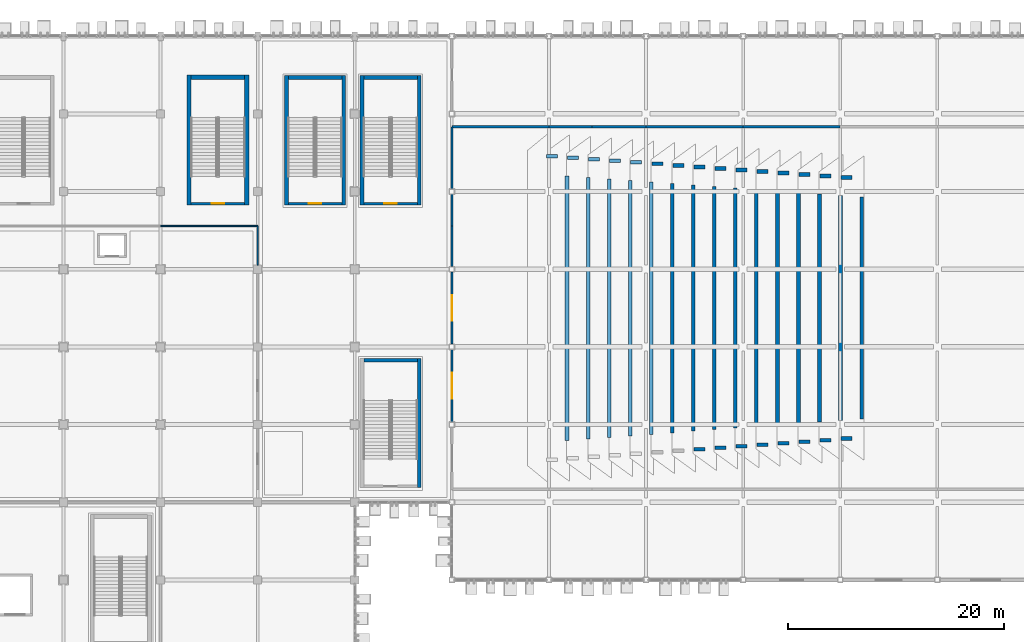
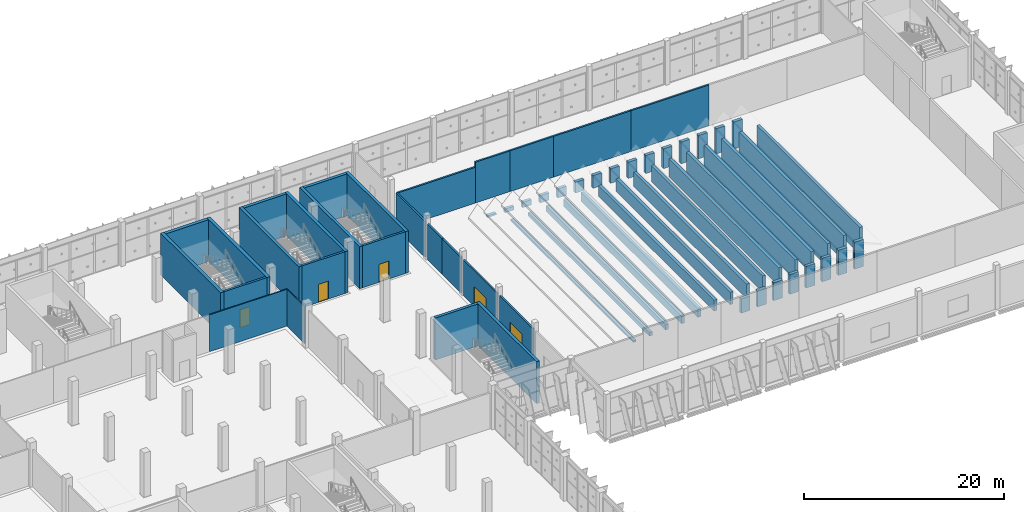
# One storey, part 142 of 189: 64 walls, 5 doors, 5 openings.
"""IFC4 building model written with IfcOpenShell, lengths in metres."""

from ifc_helpers import new_model, si_unit, direction, frame, frame_2d, origin, place, context, subcontext, project, spatial, rectangle, extrude, material, layer, layer_set, type_object, element, fill, save


model = new_model("IFC4")

# Units and contexts
model_context = context("Model", 3, precision=1e-05, world=origin(), true_north=direction((0.0, 1.0)))
body_context = subcontext(model_context, "Body", "Model", "MODEL_VIEW")
ifc_project = project(units=[si_unit("LENGTHUNIT", "METRE"), si_unit("AREAUNIT", "SQUARE_METRE"), si_unit("VOLUMEUNIT", "CUBIC_METRE"), si_unit("PLANEANGLEUNIT", "RADIAN"), si_unit("MASSUNIT", "GRAM", prefix="KILO")], contexts=[model_context])

# Site, building, storey
site_placement = place(None, origin())
site = spatial("IfcSite", under=ifc_project, at=site_placement, CompositionType="ELEMENT")
building_placement = place(site_placement, origin())
building = spatial("IfcBuilding", under=site, at=building_placement, Name="Celestram Park Convention Centre", CompositionType="ELEMENT")
storey_placement = place(building_placement, frame((0.0, 0.0, 5.39990234375)))
storey = spatial("IfcBuildingStorey", under=building, at=storey_placement, Name="L01", CompositionType="ELEMENT", Elevation=5.39990234375)

# Walls
ifc_material_1 = material(Name="Double-Stud Acoustic Gypsum Assembly", Category="gypsum")
ifc_layer_1 = layer(ifc_material_1, 0.199951171875)
ifc_layer_set_1 = layer_set([ifc_layer_1], Name="Double-Stud Acoustic Gypsum Assembly")
wall_type_1 = type_object("IfcWallType", Name="ARC-WL-ACO200", PredefinedType="PARTITIONING", material=ifc_layer_set_1)
wall_1_placement = place(storey_placement, frame((153.0, 157.199951171875, 0.0), z_axis=(0.0, 0.0, 1.0), x_axis=(1.0, 0.0, 0.0)))
element("IfcWall", 1, at=wall_1_placement, inside=storey, type_object=wall_type_1, Name="Interior partition WL-L01-IN0735", PredefinedType="PARTITIONING", context=body_context, shape_type="SweptSolid", body=[
    extrude(rectangle(XDim=9.0, YDim=0.199951171875, at=frame_2d((4.5, 0.0))), origin(), (0.0, 0.0, 1.0), 4.3681640625),
])
wall_2_placement = place(storey_placement, frame((162.0, 157.199951171875, 0.0), z_axis=(0.0, 0.0, 1.0), x_axis=(1.0, 0.0, 0.0)))
element("IfcWall", 2, at=wall_2_placement, inside=storey, type_object=wall_type_1, Name="Interior partition WL-L01-IN0736", PredefinedType="PARTITIONING", context=body_context, shape_type="SweptSolid", body=[
    extrude(rectangle(XDim=4.0, YDim=0.199951171875, at=frame_2d((2.0, 0.0))), origin(), (0.0, 0.0, 1.0), 4.97998046875),
])
wall_3_placement = place(storey_placement, frame((166.0, 157.199951171875, 0.0), z_axis=(0.0, 0.0, 1.0), x_axis=(1.0, 0.0, 0.0)))
element("IfcWall", 3, at=wall_3_placement, inside=storey, type_object=wall_type_1, Name="Interior partition WL-L01-IN0737", PredefinedType="PARTITIONING", context=body_context, shape_type="SweptSolid", body=[
    extrude(rectangle(XDim=5.0, YDim=0.199951171875, at=frame_2d((2.5, 0.0))), origin(), (0.0, 0.0, 1.0), 4.97998046875),
])
for number, where, z_axis, x_axis, name in (
    (4, (171.0, 157.199951171875, 0.0), (0.0, 0.0, 1.0), (1.0, 0.0, 0.0), "Interior partition WL-L01-IN0738"),
    (5, (180.0, 157.199951171875, 0.0), (0.0, 0.0, 1.0), (1.0, 0.0, 0.0), "Interior partition WL-L01-IN0739"),
):
    element("IfcWall", number, at=place(storey_placement, frame(where, z_axis=z_axis, x_axis=x_axis)), inside=storey, type_object=wall_type_1, Name=name, PredefinedType="PARTITIONING", context=body_context, shape_type="SweptSolid", body=[
        extrude(rectangle(XDim=9.0, YDim=0.199951171875, at=frame_2d((4.5, 0.0))), origin(), (0.0, 0.0, 1.0), 4.97998046875),
    ])

# Wall, opening, door
wall_4_placement = place(storey_placement, frame((153.0, 129.847900390625, 0.0), z_axis=(0.0, 0.0, 1.0), x_axis=(0.0, 1.0, 0.0)))
wall_4 = element("IfcWall", 6, at=wall_4_placement, inside=storey, type_object=wall_type_1, Name="Interior partition WL-L01-IN0774", PredefinedType="PARTITIONING", context=body_context, shape_type="SweptSolid", body=[
    extrude(rectangle(XDim=6.7041015625, YDim=0.199951171875, at=frame_2d((3.35205078125, 0.0))), origin(), (0.0, 0.0, 1.0), 4.358154296875),
])
opening_1_placement = place(wall_4_placement, frame((2.152099609375, 0.0, 0.0)))
opening_1 = element("IfcOpeningElement", 7, at=opening_1_placement, cuts=wall_4, Name="Opening D-01", PredefinedType="OPENING", context=body_context, shape_type="SweptSolid", body=[
    extrude(rectangle(XDim=2.39990234375, YDim=2.39990234375, at=frame_2d((1.199951171875, 1.199951171875))), frame((0.0, 0.10986328125, 0.0), z_axis=(0.0, -1.0, 0.0), x_axis=(1.0, 0.0, 0.0)), (0.0, 0.0, 1.0), 0.219970703125),
])
ifc_material_2 = material(Name="Acoustic Timber Veneer Double Door", Category="wood")
door_type_1 = type_object("IfcDoorType", Name="ARC-DR-ASM240", OperationType="NOTDEFINED", PredefinedType="DOOR", material=ifc_material_2)
door_1_placement = place(opening_1_placement, origin())
door_1 = element("IfcDoor", 8, at=door_1_placement, inside=storey, type_object=door_type_1, Name="Plenary Hall Lower Stalls entrance door", OperationType="DOUBLE_DOOR_SINGLE_SWING", OverallHeight=2.39990234375, OverallWidth=2.39990234375, PredefinedType="DOOR", context=body_context, shape_type="SweptSolid", body=[
    extrude(rectangle(XDim=2.39990234375, YDim=2.39990234375, at=frame_2d((1.199951171875, 1.199951171875))), frame((0.0, 0.02490234375, 0.0), z_axis=(0.0, -1.0, 0.0), x_axis=(1.0, 0.0, 0.0)), (0.0, 0.0, 1.0), 0.050048828125),
])
fill(opening_1, door_1)

wall_5_placement = place(storey_placement, frame((153.0, 137.048095703125, 0.0), z_axis=(0.0, 0.0, 1.0), x_axis=(0.0, 1.0, 0.0)))
wall_5 = element("IfcWall", 9, at=wall_5_placement, inside=storey, type_object=wall_type_1, Name="Interior partition WL-L01-IN0775", PredefinedType="PARTITIONING", context=body_context, shape_type="SweptSolid", body=[
    extrude(rectangle(XDim=6.703857421875, YDim=0.199951171875, at=frame_2d((3.35205078125, 0.0))), origin(), (0.0, 0.0, 1.0), 4.358154296875),
])
opening_2_placement = place(wall_5_placement, frame((2.152099609375, 0.0, 0.0)))
opening_2 = element("IfcOpeningElement", 10, at=opening_2_placement, cuts=wall_5, Name="Opening D-01", PredefinedType="OPENING", context=body_context, shape_type="SweptSolid", body=[
    extrude(rectangle(XDim=2.39990234375, YDim=2.39990234375, at=frame_2d((1.199951171875, 1.199951171875))), frame((0.0, 0.10986328125, 0.0), z_axis=(0.0, -1.0, 0.0), x_axis=(1.0, 0.0, 0.0)), (0.0, 0.0, 1.0), 0.219970703125),
])
door_2_placement = place(opening_2_placement, origin())
door_2 = element("IfcDoor", 11, at=door_2_placement, inside=storey, type_object=door_type_1, Name="Plenary Hall Lower Stalls entrance door", OperationType="DOUBLE_DOOR_SINGLE_SWING", OverallHeight=2.39990234375, OverallWidth=2.39990234375, PredefinedType="DOOR", context=body_context, shape_type="SweptSolid", body=[
    extrude(rectangle(XDim=2.39990234375, YDim=2.39990234375, at=frame_2d((1.199951171875, 1.199951171875))), frame((0.0, 0.02490234375, 0.0), z_axis=(0.0, -1.0, 0.0), x_axis=(1.0, 0.0, 0.0)), (0.0, 0.0, 1.0), 0.050048828125),
])
fill(opening_2, door_2)

# Walls
wall_6_placement = place(storey_placement, frame((153.0, 144.248046875, 0.0), z_axis=(0.0, 0.0, 1.0), x_axis=(0.0, 1.0, 0.0)))
element("IfcWall", 12, at=wall_6_placement, inside=storey, type_object=wall_type_1, Name="Interior partition WL-L01-IN0776", PredefinedType="PARTITIONING", context=body_context, shape_type="SweptSolid", body=[
    extrude(rectangle(XDim=3.751953125, YDim=0.199951171875, at=frame_2d((1.8759765625, 0.0))), origin(), (0.0, 0.0, 1.0), 4.358154296875),
])
wall_7_placement = place(storey_placement, frame((153.0, 148.0, 0.0), z_axis=(0.0, 0.0, 1.0), x_axis=(0.0, 1.0, 0.0)))
element("IfcWall", 13, at=wall_7_placement, inside=storey, type_object=wall_type_1, Name="Interior partition WL-L01-IN0777", PredefinedType="PARTITIONING", context=body_context, shape_type="SweptSolid", body=[
    extrude(rectangle(XDim=2.951904296875, YDim=0.199951171875, at=frame_2d((1.47607421875, 0.0))), origin(), (0.0, 0.0, 1.0), 4.3681640625),
])
wall_8_placement = place(storey_placement, frame((153.0, 151.447998046875, 0.0), z_axis=(0.0, 0.0, 1.0), x_axis=(0.0, 1.0, 0.0)))
element("IfcWall", 14, at=wall_8_placement, inside=storey, type_object=wall_type_1, Name="Interior partition WL-L01-IN0778", PredefinedType="PARTITIONING", context=body_context, shape_type="SweptSolid", body=[
    extrude(rectangle(XDim=5.751953125, YDim=0.199951171875, at=frame_2d((2.8759765625, 0.0))), origin(), (0.0, 0.0, 1.0), 4.3681640625),
])

# Wall, opening, door
ifc_material_3 = material(Name="Concrete Block Masonry C25/30", Category="masonry")
ifc_layer_2 = layer(ifc_material_3, 0.25)
ifc_layer_set_2 = layer_set([ifc_layer_2], Name="Concrete Block Masonry C25/30")
wall_type_2 = type_object("IfcWallType", Name="ARC-WL-COR250", PredefinedType="STANDARD", material=ifc_layer_set_2)
wall_9_placement = place(storey_placement, frame((128.840087890625, 150.074951171875, 0.0), z_axis=(0.0, 0.0, 1.0), x_axis=(1.0, 0.0, 0.0)))
wall_9 = element("IfcWall", 15, at=wall_9_placement, inside=storey, type_object=wall_type_2, Name="Core C5 stair entrance wall", PredefinedType="STANDARD", context=body_context, shape_type="SweptSolid", body=[
    extrude(rectangle(XDim=4.9599609375, YDim=0.25, at=frame_2d((2.47998046875, 0.0))), origin(), (0.0, 0.0, 1.0), 5.1201171875),
])
opening_3_placement = place(wall_9_placement, frame((1.905029296875, 0.0, 0.0)))
opening_3 = element("IfcOpeningElement", 16, at=opening_3_placement, cuts=wall_9, Name="Opening D-ST1", PredefinedType="OPENING", context=body_context, shape_type="SweptSolid", body=[
    extrude(rectangle(XDim=1.14990234375, YDim=2.199951171875, at=frame_2d((0.574951171875, 1.10009765625))), frame((0.0, 0.135009765625, 0.0), z_axis=(0.0, -1.0, 0.0), x_axis=(1.0, 0.0, 0.0)), (0.0, 0.0, 1.0), 0.27001953125),
])
ifc_material_4 = material(Name="Fire-Rated Hollow Metal Steel ASTM A653", Category="steel")
door_type_2 = type_object("IfcDoorType", Name="ARC-DR-ST115", OperationType="NOTDEFINED", PredefinedType="DOOR", material=ifc_material_4)
door_3_placement = place(opening_3_placement, origin())
door_3 = element("IfcDoor", 17, at=door_3_placement, inside=storey, type_object=door_type_2, Name="Exit stair ST-05 fire door", OperationType="SINGLE_SWING_RIGHT", OverallHeight=2.199951171875, OverallWidth=1.14990234375, PredefinedType="DOOR", context=body_context, shape_type="SweptSolid", body=[
    extrude(rectangle(XDim=1.14990234375, YDim=2.199951171875, at=frame_2d((0.574951171875, 1.10009765625))), frame((0.0, 0.02490234375, 0.0), z_axis=(0.0, -1.0, 0.0), x_axis=(1.0, 0.0, 0.0)), (0.0, 0.0, 1.0), 0.050048828125),
])
fill(opening_3, door_3)

wall_10_placement = place(storey_placement, frame((144.840087890625, 150.074951171875, 0.0), z_axis=(0.0, 0.0, 1.0), x_axis=(1.0, 0.0, 0.0)))
wall_10 = element("IfcWall", 18, at=wall_10_placement, inside=storey, type_object=wall_type_2, Name="Core S09 stair entrance wall", PredefinedType="STANDARD", context=body_context, shape_type="SweptSolid", body=[
    extrude(rectangle(XDim=4.9599609375, YDim=0.25, at=frame_2d((2.47998046875, 0.0))), origin(), (0.0, 0.0, 1.0), 5.1201171875),
])
opening_4_placement = place(wall_10_placement, frame((1.905029296875, 0.0, 0.0)))
opening_4 = element("IfcOpeningElement", 19, at=opening_4_placement, cuts=wall_10, Name="Opening D-ST1", PredefinedType="OPENING", context=body_context, shape_type="SweptSolid", body=[
    extrude(rectangle(XDim=1.14990234375, YDim=2.199951171875, at=frame_2d((0.574951171875, 1.10009765625))), frame((0.0, 0.135009765625, 0.0), z_axis=(0.0, -1.0, 0.0), x_axis=(1.0, 0.0, 0.0)), (0.0, 0.0, 1.0), 0.27001953125),
])
door_4_placement = place(opening_4_placement, origin())
door_4 = element("IfcDoor", 20, at=door_4_placement, inside=storey, type_object=door_type_2, Name="Exit stair ST-09 fire door", OperationType="SINGLE_SWING_RIGHT", OverallHeight=2.199951171875, OverallWidth=1.14990234375, PredefinedType="DOOR", context=body_context, shape_type="SweptSolid", body=[
    extrude(rectangle(XDim=1.14990234375, YDim=2.199951171875, at=frame_2d((0.574951171875, 1.10009765625))), frame((0.0, 0.02490234375, 0.0), z_axis=(0.0, -1.0, 0.0), x_axis=(1.0, 0.0, 0.0)), (0.0, 0.0, 1.0), 0.050048828125),
])
fill(opening_4, door_4)

wall_11_placement = place(storey_placement, frame((137.840087890625, 150.074951171875, 0.0), z_axis=(0.0, 0.0, 1.0), x_axis=(1.0, 0.0, 0.0)))
wall_11 = element("IfcWall", 21, at=wall_11_placement, inside=storey, type_object=wall_type_2, Name="Core S22 stair entrance wall", PredefinedType="STANDARD", context=body_context, shape_type="SweptSolid", body=[
    extrude(rectangle(XDim=4.9599609375, YDim=0.25, at=frame_2d((2.47998046875, 0.0))), origin(), (0.0, 0.0, 1.0), 5.1201171875),
])
opening_5_placement = place(wall_11_placement, frame((1.905029296875, 0.0, 0.0)))
opening_5 = element("IfcOpeningElement", 22, at=opening_5_placement, cuts=wall_11, Name="Opening D-ST1", PredefinedType="OPENING", context=body_context, shape_type="SweptSolid", body=[
    extrude(rectangle(XDim=1.14990234375, YDim=2.199951171875, at=frame_2d((0.574951171875, 1.10009765625))), frame((0.0, 0.135009765625, 0.0), z_axis=(0.0, -1.0, 0.0), x_axis=(1.0, 0.0, 0.0)), (0.0, 0.0, 1.0), 0.27001953125),
])
door_5_placement = place(opening_5_placement, origin())
door_5 = element("IfcDoor", 23, at=door_5_placement, inside=storey, type_object=door_type_2, Name="Exit stair ST-22 fire door", OperationType="SINGLE_SWING_RIGHT", OverallHeight=2.199951171875, OverallWidth=1.14990234375, PredefinedType="DOOR", context=body_context, shape_type="SweptSolid", body=[
    extrude(rectangle(XDim=1.14990234375, YDim=2.199951171875, at=frame_2d((0.574951171875, 1.10009765625))), frame((0.0, 0.02490234375, 0.0), z_axis=(0.0, -1.0, 0.0), x_axis=(1.0, 0.0, 0.0)), (0.0, 0.0, 1.0), 0.050048828125),
])
fill(opening_5, door_5)

# Walls
ifc_material_5 = material(Name="Standard Gypsum & Steel Stud 120 mm", Category="steel")
ifc_layer_3 = layer(ifc_material_5, 0.1201171875)
ifc_layer_set_3 = layer_set([ifc_layer_3], Name="Standard Gypsum & Steel Stud 120 mm")
wall_type_3 = type_object("IfcWallType", Name="ARC-WL-PRT120", PredefinedType="PARTITIONING", material=ifc_layer_set_3)
wall_12_placement = place(storey_placement, frame((126.0, 148.0, 0.0), z_axis=(0.0, 0.0, 1.0), x_axis=(1.0, 0.0, 0.0)))
element("IfcWall", 24, at=wall_12_placement, inside=storey, type_object=wall_type_3, Name="Interior partition WL-L01-IN0732", PredefinedType="PARTITIONING", context=body_context, shape_type="SweptSolid", body=[
    extrude(rectangle(XDim=9.0, YDim=0.1201171875, at=frame_2d((4.5, 0.0))), origin(), (0.0, 0.0, 1.0), 4.508056640625),
])
wall_13_placement = place(storey_placement, frame((135.0, 144.373046875, 0.0), z_axis=(0.0, 0.0, 1.0), x_axis=(0.0, 1.0, 0.0)))
element("IfcWall", 25, at=wall_13_placement, inside=storey, type_object=wall_type_3, Name="Interior partition WL-L01-IN0770", PredefinedType="PARTITIONING", context=body_context, shape_type="SweptSolid", body=[
    extrude(rectangle(XDim=3.626953125, YDim=0.1201171875, at=frame_2d((1.8134765625, 0.0))), origin(), (0.0, 0.0, 1.0), 4.508056640625),
])
ifc_material_6 = material(Name="Concrete C40/50", Category="concrete")
ifc_layer_4 = layer(ifc_material_6, 0.340087890625)
ifc_layer_set_4 = layer_set([ifc_layer_4], Name="Concrete C40/50")
wall_type_4 = type_object("IfcWallType", Name="STR-WL-SHR340", PredefinedType="SHEAR", material=ifc_layer_set_4)
wall_14_placement = place(storey_placement, frame((161.780029296875, 154.4599609375, 0.0), z_axis=(0.0, 0.0, 1.0), x_axis=(1.0, 0.0, 0.0)))
element("IfcWall", 26, at=wall_14_placement, inside=storey, type_object=wall_type_4, Name="Plenary stalls raker wall 2N", PredefinedType="SHEAR", context=body_context, shape_type="SweptSolid", body=[
    extrude(rectangle(XDim=1.02001953125, YDim=0.340087890625, at=frame_2d((0.510009765625, 0.0))), origin(), (0.0, 0.0, 1.0), 0.22021484375),
])
wall_15_placement = place(storey_placement, frame((163.679931640625, 128.139892578125, 0.0), z_axis=(0.0, 0.0, 1.0), x_axis=(0.0, 1.0, 0.0)))
element("IfcWall", 27, at=wall_15_placement, inside=storey, type_object=wall_type_4, Name="Plenary stalls raker wall 2F", PredefinedType="SHEAR", context=body_context, shape_type="SweptSolid", body=[
    extrude(rectangle(XDim=24.52001953125, YDim=0.340087890625, at=frame_2d((12.260009765625, 0.0))), origin(), (0.0, 0.0, 1.0), 0.22021484375),
])
wall_16_placement = place(storey_placement, frame((163.72998046875, 154.320068359375, 0.0), z_axis=(0.0, 0.0, 1.0), x_axis=(1.0, 0.0, 0.0)))
element("IfcWall", 28, at=wall_16_placement, inside=storey, type_object=wall_type_4, Name="Plenary stalls raker wall 3N", PredefinedType="SHEAR", context=body_context, shape_type="SweptSolid", body=[
    extrude(rectangle(XDim=1.02001953125, YDim=0.340087890625, at=frame_2d((0.510009765625, 0.0))), origin(), (0.0, 0.0, 1.0), 0.440185546875),
])
wall_17_placement = place(storey_placement, frame((165.6298828125, 128.280029296875, 0.0), z_axis=(0.0, 0.0, 1.0), x_axis=(0.0, 1.0, 0.0)))
element("IfcWall", 29, at=wall_17_placement, inside=storey, type_object=wall_type_4, Name="Plenary stalls raker wall 3F", PredefinedType="SHEAR", context=body_context, shape_type="SweptSolid", body=[
    extrude(rectangle(XDim=24.239990234375, YDim=0.340087890625, at=frame_2d((12.1201171875, 0.0))), origin(), (0.0, 0.0, 1.0), 0.440185546875),
])
wall_18_placement = place(storey_placement, frame((165.679931640625, 154.179931640625, 0.0), z_axis=(0.0, 0.0, 1.0), x_axis=(1.0, 0.0, 0.0)))
element("IfcWall", 30, at=wall_18_placement, inside=storey, type_object=wall_type_4, Name="Plenary stalls raker wall 4N", PredefinedType="SHEAR", context=body_context, shape_type="SweptSolid", body=[
    extrude(rectangle(XDim=1.02001953125, YDim=0.340087890625, at=frame_2d((0.510009765625, 0.0))), origin(), (0.0, 0.0, 1.0), 0.66015625),
])
wall_19_placement = place(storey_placement, frame((167.580078125, 128.419921875, 0.0), z_axis=(0.0, 0.0, 1.0), x_axis=(0.0, 1.0, 0.0)))
element("IfcWall", 31, at=wall_19_placement, inside=storey, type_object=wall_type_4, Name="Plenary stalls raker wall 4F", PredefinedType="SHEAR", context=body_context, shape_type="SweptSolid", body=[
    extrude(rectangle(XDim=23.9599609375, YDim=0.340087890625, at=frame_2d((11.97998046875, 0.0))), origin(), (0.0, 0.0, 1.0), 0.66015625),
])
wall_20_placement = place(storey_placement, frame((167.6298828125, 154.0400390625, 0.0), z_axis=(0.0, 0.0, 1.0), x_axis=(1.0, 0.0, 0.0)))
element("IfcWall", 32, at=wall_20_placement, inside=storey, type_object=wall_type_4, Name="Plenary stalls raker wall 5N", PredefinedType="SHEAR", context=body_context, shape_type="SweptSolid", body=[
    extrude(rectangle(XDim=1.02001953125, YDim=0.340087890625, at=frame_2d((0.510009765625, 0.0))), origin(), (0.0, 0.0, 1.0), 0.880126953125),
])
wall_21_placement = place(storey_placement, frame((169.530029296875, 128.56005859375, 0.0), z_axis=(0.0, 0.0, 1.0), x_axis=(0.0, 1.0, 0.0)))
element("IfcWall", 33, at=wall_21_placement, inside=storey, type_object=wall_type_4, Name="Plenary stalls raker wall 5F", PredefinedType="SHEAR", context=body_context, shape_type="SweptSolid", body=[
    extrude(rectangle(XDim=23.679931640625, YDim=0.340087890625, at=frame_2d((11.83984375, 0.0))), origin(), (0.0, 0.0, 1.0), 0.880126953125),
])
wall_22_placement = place(storey_placement, frame((169.580078125, 153.89990234375, 0.0), z_axis=(0.0, 0.0, 1.0), x_axis=(1.0, 0.0, 0.0)))
element("IfcWall", 34, at=wall_22_placement, inside=storey, type_object=wall_type_4, Name="Plenary stalls raker wall 6N", PredefinedType="SHEAR", context=body_context, shape_type="SweptSolid", body=[
    extrude(rectangle(XDim=1.02001953125, YDim=0.340087890625, at=frame_2d((0.510009765625, 0.0))), origin(), (0.0, 0.0, 1.0), 1.10009765625),
])
wall_23_placement = place(storey_placement, frame((171.47998046875, 128.699951171875, 0.0), z_axis=(0.0, 0.0, 1.0), x_axis=(0.0, 1.0, 0.0)))
element("IfcWall", 35, at=wall_23_placement, inside=storey, type_object=wall_type_4, Name="Plenary stalls raker wall 6F", PredefinedType="SHEAR", context=body_context, shape_type="SweptSolid", body=[
    extrude(rectangle(XDim=23.400146484375, YDim=0.340087890625, at=frame_2d((11.7001953125, 0.0))), origin(), (0.0, 0.0, 1.0), 1.10009765625),
])
wall_24_placement = place(storey_placement, frame((171.530029296875, 153.760009765625, 0.0), z_axis=(0.0, 0.0, 1.0), x_axis=(1.0, 0.0, 0.0)))
element("IfcWall", 36, at=wall_24_placement, inside=storey, type_object=wall_type_4, Name="Plenary stalls raker wall 7N", PredefinedType="SHEAR", context=body_context, shape_type="SweptSolid", body=[
    extrude(rectangle(XDim=1.02001953125, YDim=0.340087890625, at=frame_2d((0.510009765625, 0.0))), origin(), (0.0, 0.0, 1.0), 1.320068359375),
])
wall_25_placement = place(storey_placement, frame((173.429931640625, 128.840087890625, 0.0), z_axis=(0.0, 0.0, 1.0), x_axis=(0.0, 1.0, 0.0)))
element("IfcWall", 37, at=wall_25_placement, inside=storey, type_object=wall_type_4, Name="Plenary stalls raker wall 7F", PredefinedType="SHEAR", context=body_context, shape_type="SweptSolid", body=[
    extrude(rectangle(XDim=23.119873046875, YDim=0.340087890625, at=frame_2d((11.56005859375, 0.0))), origin(), (0.0, 0.0, 1.0), 1.320068359375),
])
wall_26_placement = place(storey_placement, frame((173.47998046875, 153.6201171875, 0.0), z_axis=(0.0, 0.0, 1.0), x_axis=(1.0, 0.0, 0.0)))
element("IfcWall", 38, at=wall_26_placement, inside=storey, type_object=wall_type_4, Name="Plenary stalls raker wall 8N", PredefinedType="SHEAR", context=body_context, shape_type="SweptSolid", body=[
    extrude(rectangle(XDim=1.02001953125, YDim=0.340087890625, at=frame_2d((0.510009765625, 0.0))), origin(), (0.0, 0.0, 1.0), 1.5400390625),
])
wall_27_placement = place(storey_placement, frame((175.3798828125, 128.97998046875, 0.0), z_axis=(0.0, 0.0, 1.0), x_axis=(0.0, 1.0, 0.0)))
element("IfcWall", 39, at=wall_27_placement, inside=storey, type_object=wall_type_4, Name="Plenary stalls raker wall 8F", PredefinedType="SHEAR", context=body_context, shape_type="SweptSolid", body=[
    extrude(rectangle(XDim=22.840087890625, YDim=0.340087890625, at=frame_2d((11.419921875, 0.0))), origin(), (0.0, 0.0, 1.0), 1.5400390625),
])
for number, where, z_axis, x_axis, name in (
    (40, (175.429931640625, 127.320068359375, 0.0), (0.0, 0.0, 1.0), (1.0, 0.0, 0.0), "Plenary stalls raker wall 9S"),
    (41, (175.429931640625, 153.47998046875, 0.0), (0.0, 0.0, 1.0), (1.0, 0.0, 0.0), "Plenary stalls raker wall 9N"),
):
    element("IfcWall", number, at=place(storey_placement, frame(where, z_axis=z_axis, x_axis=x_axis)), inside=storey, type_object=wall_type_4, Name=name, PredefinedType="SHEAR", context=body_context, shape_type="SweptSolid", body=[
        extrude(rectangle(XDim=1.02001953125, YDim=0.340087890625, at=frame_2d((0.510009765625, 0.0))), origin(), (0.0, 0.0, 1.0), 1.760009765625),
    ])
wall_28_placement = place(storey_placement, frame((177.330078125, 129.1201171875, 0.0), z_axis=(0.0, 0.0, 1.0), x_axis=(0.0, 1.0, 0.0)))
element("IfcWall", 42, at=wall_28_placement, inside=storey, type_object=wall_type_4, Name="Plenary stalls raker wall 9F", PredefinedType="SHEAR", context=body_context, shape_type="SweptSolid", body=[
    extrude(rectangle(XDim=22.559814453125, YDim=0.340087890625, at=frame_2d((11.27978515625, 0.0))), origin(), (0.0, 0.0, 1.0), 1.760009765625),
])
for number, where, z_axis, x_axis, name in (
    (43, (177.3798828125, 127.4599609375, 0.0), (0.0, 0.0, 1.0), (1.0, 0.0, 0.0), "Plenary stalls raker wall 10S"),
    (44, (177.3798828125, 153.340087890625, 0.0), (0.0, 0.0, 1.0), (1.0, 0.0, 0.0), "Plenary stalls raker wall 10N"),
):
    element("IfcWall", number, at=place(storey_placement, frame(where, z_axis=z_axis, x_axis=x_axis)), inside=storey, type_object=wall_type_4, Name=name, PredefinedType="SHEAR", context=body_context, shape_type="SweptSolid", body=[
        extrude(rectangle(XDim=1.02001953125, YDim=0.340087890625, at=frame_2d((0.510009765625, 0.0))), origin(), (0.0, 0.0, 1.0), 1.97998046875),
    ])
wall_29_placement = place(storey_placement, frame((179.280029296875, 129.260009765625, 0.0), z_axis=(0.0, 0.0, 1.0), x_axis=(0.0, 1.0, 0.0)))
element("IfcWall", 45, at=wall_29_placement, inside=storey, type_object=wall_type_4, Name="Plenary stalls raker wall 10F", PredefinedType="SHEAR", context=body_context, shape_type="SweptSolid", body=[
    extrude(rectangle(XDim=22.280029296875, YDim=0.340087890625, at=frame_2d((11.14013671875, 0.0))), origin(), (0.0, 0.0, 1.0), 1.97998046875),
])
for number, where, z_axis, x_axis, name in (
    (46, (179.330078125, 127.60009765625, 0.0), (0.0, 0.0, 1.0), (1.0, 0.0, 0.0), "Plenary stalls raker wall 11S"),
    (47, (179.330078125, 153.199951171875, 0.0), (0.0, 0.0, 1.0), (1.0, 0.0, 0.0), "Plenary stalls raker wall 11N"),
):
    element("IfcWall", number, at=place(storey_placement, frame(where, z_axis=z_axis, x_axis=x_axis)), inside=storey, type_object=wall_type_4, Name=name, PredefinedType="SHEAR", context=body_context, shape_type="SweptSolid", body=[
        extrude(rectangle(XDim=1.02001953125, YDim=0.340087890625, at=frame_2d((0.510009765625, 0.0))), origin(), (0.0, 0.0, 1.0), 2.2001953125),
    ])
wall_30_placement = place(storey_placement, frame((181.22998046875, 129.39990234375, 0.0), z_axis=(0.0, 0.0, 1.0), x_axis=(0.0, 1.0, 0.0)))
element("IfcWall", 48, at=wall_30_placement, inside=storey, type_object=wall_type_4, Name="Plenary stalls raker wall 11F", PredefinedType="SHEAR", context=body_context, shape_type="SweptSolid", body=[
    extrude(rectangle(XDim=22.0, YDim=0.340087890625, at=frame_2d((11.0, 0.0))), origin(), (0.0, 0.0, 1.0), 2.2001953125),
])
for number, where, z_axis, x_axis, name in (
    (49, (181.280029296875, 127.739990234375, 0.0), (0.0, 0.0, 1.0), (1.0, 0.0, 0.0), "Plenary stalls raker wall 12S"),
    (50, (181.280029296875, 153.06005859375, 0.0), (0.0, 0.0, 1.0), (1.0, 0.0, 0.0), "Plenary stalls raker wall 12N"),
):
    element("IfcWall", number, at=place(storey_placement, frame(where, z_axis=z_axis, x_axis=x_axis)), inside=storey, type_object=wall_type_4, Name=name, PredefinedType="SHEAR", context=body_context, shape_type="SweptSolid", body=[
        extrude(rectangle(XDim=1.02001953125, YDim=0.340087890625, at=frame_2d((0.510009765625, 0.0))), origin(), (0.0, 0.0, 1.0), 2.420166015625),
    ])
wall_31_placement = place(storey_placement, frame((183.179931640625, 129.5400390625, 0.0), z_axis=(0.0, 0.0, 1.0), x_axis=(0.0, 1.0, 0.0)))
element("IfcWall", 51, at=wall_31_placement, inside=storey, type_object=wall_type_4, Name="Plenary stalls raker wall 12F", PredefinedType="SHEAR", context=body_context, shape_type="SweptSolid", body=[
    extrude(rectangle(XDim=21.719970703125, YDim=0.340087890625, at=frame_2d((10.85986328125, 0.0))), origin(), (0.0, 0.0, 1.0), 2.420166015625),
])
for number, where, z_axis, x_axis, name in (
    (52, (183.22998046875, 127.8798828125, 0.0), (0.0, 0.0, 1.0), (1.0, 0.0, 0.0), "Plenary stalls raker wall 13S"),
    (53, (183.22998046875, 152.919921875, 0.0), (0.0, 0.0, 1.0), (1.0, 0.0, 0.0), "Plenary stalls raker wall 13N"),
):
    element("IfcWall", number, at=place(storey_placement, frame(where, z_axis=z_axis, x_axis=x_axis)), inside=storey, type_object=wall_type_4, Name=name, PredefinedType="SHEAR", context=body_context, shape_type="SweptSolid", body=[
        extrude(rectangle(XDim=1.02001953125, YDim=0.340087890625, at=frame_2d((0.510009765625, 0.0))), origin(), (0.0, 0.0, 1.0), 2.64013671875),
    ])
wall_32_placement = place(storey_placement, frame((185.1298828125, 129.679931640625, 0.0), z_axis=(0.0, 0.0, 1.0), x_axis=(0.0, 1.0, 0.0)))
element("IfcWall", 54, at=wall_32_placement, inside=storey, type_object=wall_type_4, Name="Plenary stalls raker wall 13F", PredefinedType="SHEAR", context=body_context, shape_type="SweptSolid", body=[
    extrude(rectangle(XDim=21.440185546875, YDim=0.340087890625, at=frame_2d((10.72021484375, 0.0))), origin(), (0.0, 0.0, 1.0), 2.64013671875),
])
for number, where, z_axis, x_axis, name in (
    (55, (185.179931640625, 128.02001953125, 0.0), (0.0, 0.0, 1.0), (1.0, 0.0, 0.0), "Plenary stalls raker wall 14S"),
    (56, (185.179931640625, 152.780029296875, 0.0), (0.0, 0.0, 1.0), (1.0, 0.0, 0.0), "Plenary stalls raker wall 14N"),
):
    element("IfcWall", number, at=place(storey_placement, frame(where, z_axis=z_axis, x_axis=x_axis)), inside=storey, type_object=wall_type_4, Name=name, PredefinedType="SHEAR", context=body_context, shape_type="SweptSolid", body=[
        extrude(rectangle(XDim=1.02001953125, YDim=0.340087890625, at=frame_2d((0.510009765625, 0.0))), origin(), (0.0, 0.0, 1.0), 2.860107421875),
    ])
wall_33_placement = place(storey_placement, frame((187.080078125, 129.820068359375, 0.0), z_axis=(0.0, 0.0, 1.0), x_axis=(0.0, 1.0, 0.0)))
element("IfcWall", 57, at=wall_33_placement, inside=storey, type_object=wall_type_4, Name="Plenary stalls raker wall 14F", PredefinedType="SHEAR", context=body_context, shape_type="SweptSolid", body=[
    extrude(rectangle(XDim=21.159912109375, YDim=0.340087890625, at=frame_2d((10.580078125, 0.0))), origin(), (0.0, 0.0, 1.0), 2.860107421875),
])
for number, where, z_axis, x_axis, name in (
    (58, (187.1298828125, 128.159912109375, 0.0), (0.0, 0.0, 1.0), (1.0, 0.0, 0.0), "Plenary stalls raker wall 15S"),
    (59, (187.1298828125, 152.639892578125, 0.0), (0.0, 0.0, 1.0), (1.0, 0.0, 0.0), "Plenary stalls raker wall 15N"),
):
    element("IfcWall", number, at=place(storey_placement, frame(where, z_axis=z_axis, x_axis=x_axis)), inside=storey, type_object=wall_type_4, Name=name, PredefinedType="SHEAR", context=body_context, shape_type="SweptSolid", body=[
        extrude(rectangle(XDim=1.02001953125, YDim=0.340087890625, at=frame_2d((0.510009765625, 0.0))), origin(), (0.0, 0.0, 1.0), 3.080078125),
    ])
wall_34_placement = place(storey_placement, frame((189.030029296875, 129.9599609375, 0.0), z_axis=(0.0, 0.0, 1.0), x_axis=(0.0, 1.0, 0.0)))
element("IfcWall", 60, at=wall_34_placement, inside=storey, type_object=wall_type_4, Name="Plenary stalls raker wall 15F", PredefinedType="SHEAR", context=body_context, shape_type="SweptSolid", body=[
    extrude(rectangle(XDim=20.880126953125, YDim=0.340087890625, at=frame_2d((10.43994140625, 0.0))), origin(), (0.0, 0.0, 1.0), 3.080078125),
])
for number, where, z_axis, x_axis, name in (
    (61, (189.080078125, 128.300048828125, 0.0), (0.0, 0.0, 1.0), (1.0, 0.0, 0.0), "Plenary stalls raker wall 16S"),
    (62, (189.080078125, 152.5, 0.0), (0.0, 0.0, 1.0), (1.0, 0.0, 0.0), "Plenary stalls raker wall 16N"),
):
    element("IfcWall", number, at=place(storey_placement, frame(where, z_axis=z_axis, x_axis=x_axis)), inside=storey, type_object=wall_type_4, Name=name, PredefinedType="SHEAR", context=body_context, shape_type="SweptSolid", body=[
        extrude(rectangle(XDim=1.02001953125, YDim=0.340087890625, at=frame_2d((0.510009765625, 0.0))), origin(), (0.0, 0.0, 1.0), 3.300048828125),
    ])
wall_35_placement = place(storey_placement, frame((190.97998046875, 130.10009765625, 0.0), z_axis=(0.0, 0.0, 1.0), x_axis=(0.0, 1.0, 0.0)))
element("IfcWall", 63, at=wall_35_placement, inside=storey, type_object=wall_type_4, Name="Plenary stalls raker wall 16F", PredefinedType="SHEAR", context=body_context, shape_type="SweptSolid", body=[
    extrude(rectangle(XDim=20.599853515625, YDim=0.340087890625, at=frame_2d((10.2998046875, 0.0))), origin(), (0.0, 0.0, 1.0), 3.300048828125),
])
for number, where, z_axis, x_axis, name in (
    (64, (144.669921875, 149.949951171875, 0.0), (0.0, 0.0, 1.0), (0.0, 1.0, 0.0), "Core S09 shear wall L"),
    (65, (149.969970703125, 161.93994140625, 0.0), (0.0, 0.0, 1.0), (0.0, -1.0, 0.0), "Core S09 shear wall R"),
):
    element("IfcWall", number, at=place(storey_placement, frame(where, z_axis=z_axis, x_axis=x_axis)), inside=storey, type_object=wall_type_4, Name=name, PredefinedType="SHEAR", context=body_context, shape_type="SweptSolid", body=[
        extrude(rectangle(XDim=11.989990234375, YDim=0.340087890625, at=frame_2d((5.9951171875, 0.0))), origin(), (0.0, 0.0, 1.0), 5.1201171875),
    ])
wall_36_placement = place(storey_placement, frame((144.840087890625, 161.77001953125, 0.0), z_axis=(0.0, 0.0, 1.0), x_axis=(1.0, 0.0, 0.0)))
element("IfcWall", 66, at=wall_36_placement, inside=storey, type_object=wall_type_4, Name="Core S09 shear wall F", PredefinedType="SHEAR", context=body_context, shape_type="SweptSolid", body=[
    extrude(rectangle(XDim=4.9599609375, YDim=0.340087890625, at=frame_2d((2.47998046875, 0.0))), origin(), (0.0, 0.0, 1.0), 5.1201171875),
])
wall_37_placement = place(storey_placement, frame((149.969970703125, 135.739990234375, 0.0), z_axis=(0.0, 0.0, 1.0), x_axis=(0.0, -1.0, 0.0)))
element("IfcWall", 67, at=wall_37_placement, inside=storey, type_object=wall_type_4, Name="Core S10 shear wall R", PredefinedType="SHEAR", context=body_context, shape_type="SweptSolid", body=[
    extrude(rectangle(XDim=11.989990234375, YDim=0.340087890625, at=frame_2d((5.9951171875, 0.0))), origin(), (0.0, 0.0, 1.0), 5.1201171875),
])
wall_38_placement = place(storey_placement, frame((144.840087890625, 135.570068359375, 0.0), z_axis=(0.0, 0.0, 1.0), x_axis=(1.0, 0.0, 0.0)))
element("IfcWall", 68, at=wall_38_placement, inside=storey, type_object=wall_type_4, Name="Core S10 shear wall F", PredefinedType="SHEAR", context=body_context, shape_type="SweptSolid", body=[
    extrude(rectangle(XDim=4.9599609375, YDim=0.340087890625, at=frame_2d((2.47998046875, 0.0))), origin(), (0.0, 0.0, 1.0), 5.1201171875),
])
for number, where, z_axis, x_axis, name in (
    (69, (137.669921875, 149.949951171875, 0.0), (0.0, 0.0, 1.0), (0.0, 1.0, 0.0), "Core S22 shear wall L"),
    (70, (142.969970703125, 161.93994140625, 0.0), (0.0, 0.0, 1.0), (0.0, -1.0, 0.0), "Core S22 shear wall R"),
):
    element("IfcWall", number, at=place(storey_placement, frame(where, z_axis=z_axis, x_axis=x_axis)), inside=storey, type_object=wall_type_4, Name=name, PredefinedType="SHEAR", context=body_context, shape_type="SweptSolid", body=[
        extrude(rectangle(XDim=11.989990234375, YDim=0.340087890625, at=frame_2d((5.9951171875, 0.0))), origin(), (0.0, 0.0, 1.0), 5.1201171875),
    ])
wall_39_placement = place(storey_placement, frame((137.840087890625, 161.77001953125, 0.0), z_axis=(0.0, 0.0, 1.0), x_axis=(1.0, 0.0, 0.0)))
element("IfcWall", 71, at=wall_39_placement, inside=storey, type_object=wall_type_4, Name="Core S22 shear wall F", PredefinedType="SHEAR", context=body_context, shape_type="SweptSolid", body=[
    extrude(rectangle(XDim=4.9599609375, YDim=0.340087890625, at=frame_2d((2.47998046875, 0.0))), origin(), (0.0, 0.0, 1.0), 5.1201171875),
])
ifc_layer_5 = layer(ifc_material_6, 0.3798828125)
ifc_layer_set_5 = layer_set([ifc_layer_5], Name="Concrete C40/50")
wall_type_5 = type_object("IfcWallType", Name="STR-WL-SHR380", PredefinedType="SHEAR", material=ifc_layer_set_5)
for number, where, z_axis, x_axis, name in (
    (72, (128.64990234375, 149.949951171875, 0.0), (0.0, 0.0, 1.0), (0.0, 1.0, 0.0), "Core C5 shear wall L"),
    (73, (133.989990234375, 161.97998046875, 0.0), (0.0, 0.0, 1.0), (0.0, -1.0, 0.0), "Core C5 shear wall R"),
):
    element("IfcWall", number, at=place(storey_placement, frame(where, z_axis=z_axis, x_axis=x_axis)), inside=storey, type_object=wall_type_5, Name=name, PredefinedType="SHEAR", context=body_context, shape_type="SweptSolid", body=[
        extrude(rectangle(XDim=12.030029296875, YDim=0.3798828125, at=frame_2d((6.01513671875, 0.0))), origin(), (0.0, 0.0, 1.0), 5.1201171875),
    ])
wall_40_placement = place(storey_placement, frame((128.840087890625, 161.7900390625, 0.0), z_axis=(0.0, 0.0, 1.0), x_axis=(1.0, 0.0, 0.0)))
element("IfcWall", 74, at=wall_40_placement, inside=storey, type_object=wall_type_5, Name="Core C5 shear wall F", PredefinedType="SHEAR", context=body_context, shape_type="SweptSolid", body=[
    extrude(rectangle(XDim=4.9599609375, YDim=0.3798828125, at=frame_2d((2.47998046875, 0.0))), origin(), (0.0, 0.0, 1.0), 5.1201171875),
])

save(model, "model.ifc")
